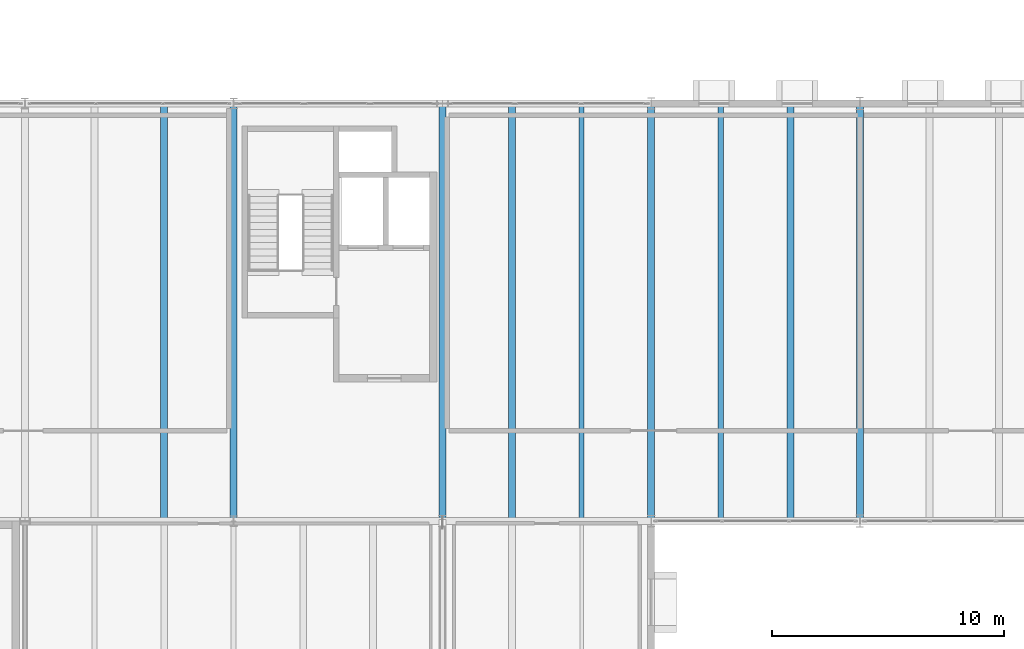
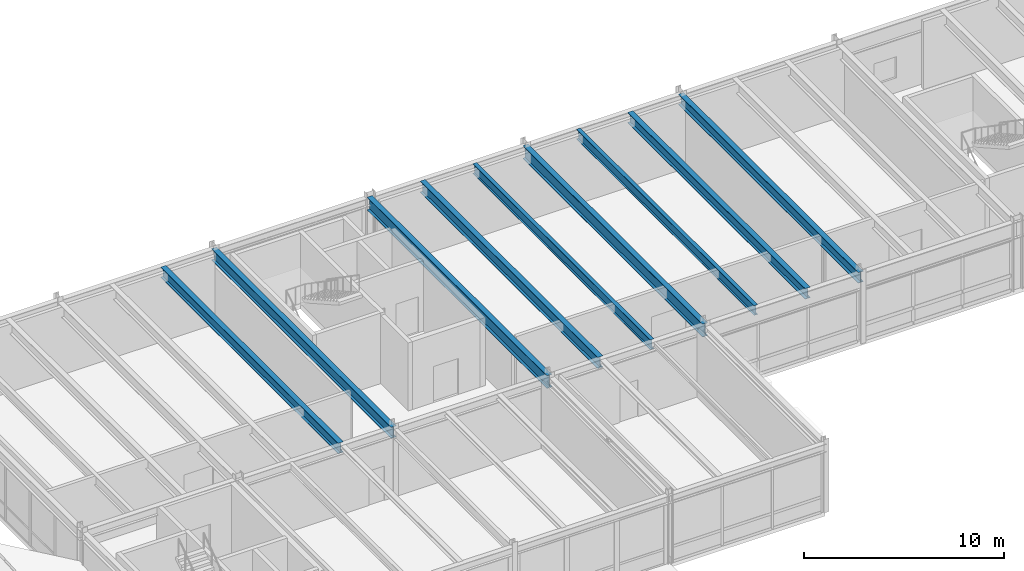
# One storey, part 84 of 142: 9 beams.
"""IFC4 building model written with IfcOpenShell, lengths in metres."""

import ifcopenshell
import ifcopenshell.guid

model = None  # the IFC model being written
_history = None  # IfcOwnerHistory: only IFC2X3 demands one
_inside = {}  # id of a spatial element -> (the spatial element, [elements in it])
_under = {}  # id of a project, library or spatial element -> (it, [spatial elements below it])
_declared = {}  # id of a project -> (the project, [libraries it declares])
_typed = {}  # id of a type object -> (the type object, [elements of that type])
_made_of = {}  # id of a material, layer set ... -> (it, [elements and type objects made of it])


def new_model(schema):
    """Start an empty IFC model of exactly this schema.

    Asked for "IFC4X3", IfcOpenShell would pick the latest addendum, in which some entities
    have other attributes; the version numbers below select the first issue.
    IFC2X3 requires an IfcOwnerHistory on every rooted entity: one is made here for all.
    """
    global model, _history
    if schema == "IFC4X3":
        model = ifcopenshell.file(schema_version=(4, 3, 0, 0))
    else:
        model = ifcopenshell.file(schema=schema)
    _inside.clear()
    _under.clear()
    _declared.clear()
    _typed.clear()
    _made_of.clear()
    _history = None
    if model.schema == "IFC2X3":
        org = make("IfcOrganization", Name="unknown")
        user = make(
            "IfcPersonAndOrganization",
            ThePerson=make("IfcPerson", FamilyName="unknown"),
            TheOrganization=org,
        )
        app = make(
            "IfcApplication",
            ApplicationDeveloper=org,
            Version="unknown",
            ApplicationFullName="unknown",
            ApplicationIdentifier="unknown",
        )
        _history = make(
            "IfcOwnerHistory",
            OwningUser=user,
            OwningApplication=app,
            ChangeAction="ADDED",
            CreationDate=0,
        )
    return model


def make(cls, **values):
    """One entity of the class cls with the attributes given. An attribute that is None is left unset."""
    return model.create_entity(
        cls, **{name: value for name, value in values.items() if value is not None}
    )


def rooted(cls, **values):
    """An entity with a GlobalId (a new one), such as an element, a storey or a relation."""
    return make(cls, GlobalId=ifcopenshell.guid.new(), OwnerHistory=_history, **values)


def si_unit(unit_type, name, prefix=None):
    """IfcSIUnit, for example si_unit("LENGTHUNIT", "METRE", prefix="MILLI")."""
    return make("IfcSIUnit", UnitType=unit_type, Prefix=prefix, Name=name)


def assignment(units):
    """IfcUnitAssignment: the units of a project."""
    return None if units is None else make("IfcUnitAssignment", Units=units)


def point(xyz):
    """IfcCartesianPoint."""
    return None if xyz is None else make("IfcCartesianPoint", Coordinates=xyz)


def direction(xyz):
    """IfcDirection."""
    return None if xyz is None else make("IfcDirection", DirectionRatios=xyz)


def frame(location, z_axis=None, x_axis=None):
    """IfcAxis2Placement3D, a coordinate frame: its origin and axes. An axis left out is left unset."""
    return make(
        "IfcAxis2Placement3D",
        Location=point(location),
        Axis=direction(z_axis),
        RefDirection=direction(x_axis),
    )


def frame_2d(location, x_axis=None):
    """IfcAxis2Placement2D, a coordinate frame in the plane: its origin and x axis."""
    return make(
        "IfcAxis2Placement2D", Location=point(location), RefDirection=direction(x_axis)
    )


def origin():
    """The frame at (0, 0, 0) with its axes left unset."""
    return frame((0.0, 0.0, 0.0))


def origin_2d():
    """The frame at (0, 0) in the plane with its x axis left unset."""
    return frame_2d((0.0, 0.0))


def place(relative_to, where):
    """IfcLocalPlacement: puts the frame where relative to a parent placement (None: the world)."""
    return make(
        "IfcLocalPlacement", PlacementRelTo=relative_to, RelativePlacement=where
    )


def context(
    kind, dimensions, precision=None, world=None, true_north=None, identifier=None
):
    """IfcGeometricRepresentationContext, for example the 3D "Model" context."""
    return make(
        "IfcGeometricRepresentationContext",
        ContextIdentifier=identifier,
        ContextType=kind,
        CoordinateSpaceDimension=dimensions,
        Precision=precision,
        WorldCoordinateSystem=world,
        TrueNorth=true_north,
    )


def subcontext(parent, identifier, kind, view, scale=None):
    """IfcGeometricRepresentationSubContext, for example "Body" below "Model"."""
    return make(
        "IfcGeometricRepresentationSubContext",
        ContextIdentifier=identifier,
        ContextType=kind,
        ParentContext=parent,
        TargetScale=scale,
        TargetView=view,
    )


def project(units=None, contexts=None):
    """IfcProject with its units and contexts."""
    return rooted(
        "IfcProject",
        Name="project",
        RepresentationContexts=contexts,
        UnitsInContext=assignment(units),
    )


def spatial(cls, under=None, at=None, **own):
    """A site, building, storey or space (cls), placed at a placement, below another one or the project."""
    s = rooted(cls, ObjectPlacement=at, **own)
    if under is not None:
        _under.setdefault(under.id(), (under, []))[1].append(s)
    return s


def profile(cls, at=None, kind="AREA", **sizes):
    """A parametric profile (cls). Its sizes go by their IFC names, for example OverallWidth=200.0."""
    return make(cls, ProfileType=kind, Position=at, **sizes)


def i_section(**sizes):
    """IfcIShapeProfileDef."""
    return profile("IfcIShapeProfileDef", **sizes)


def extrude(swept, where, along, depth):
    """IfcExtrudedAreaSolid: the profile swept, set in the frame where, extruded along a direction by depth."""
    return make(
        "IfcExtrudedAreaSolid",
        SweptArea=swept,
        Position=where,
        ExtrudedDirection=direction(along),
        Depth=depth,
    )


def shape(context_of_items, identifier, shape_type, items):
    """IfcShapeRepresentation: the items that make up one representation, for example the "Body"."""
    return make(
        "IfcShapeRepresentation",
        ContextOfItems=context_of_items,
        RepresentationIdentifier=identifier,
        RepresentationType=shape_type,
        Items=items,
    )


def material(Name=None, Category=None):
    """IfcMaterial."""
    return make("IfcMaterial", Name=Name, Category=Category)


def material_profile(
    of_material, cross_section, Name=None, Category=None, Priority=None
):
    """IfcMaterialProfile: a cross section and its material."""
    return make(
        "IfcMaterialProfile",
        Name=Name,
        Material=of_material,
        Profile=cross_section,
        Priority=Priority,
        Category=Category,
    )


def profile_set(profiles, Name=None, composite=None):
    """IfcMaterialProfileSet."""
    return make(
        "IfcMaterialProfileSet",
        Name=Name,
        MaterialProfiles=profiles,
        CompositeProfile=composite,
    )


def made_of(thing, what):
    """Note that an element or type object is made of a material, layer set ...; save() writes the relation."""
    if what is not None:
        _made_of.setdefault(what.id(), (what, []))[1].append(thing)
    return thing


def type_object(cls, material=None, **own):
    """A type object (cls), such as IfcWallType, which elements share."""
    return made_of(rooted(cls, **own), material)


def element(
    cls,
    number,
    at=None,
    inside=None,
    cuts=None,
    type_object=None,
    material=None,
    context=None,
    identifier="Body",
    shape_type=None,
    held_by="IfcProductDefinitionShape",
    body=None,
    shapes=None,
    **own,
):
    """One element of the class cls, such as IfcWall. Its Tag is "e" and its number.

    at: its placement. inside: the storey or other place that contains it. cuts: it is an
    opening in that element (IfcRelVoidsElement). A single representation is given by context,
    identifier, shape_type and body (its items); several are given by shapes. held_by: the class
    of the entity that holds the representations. save() writes the other relations.
    """
    e = rooted(cls, Tag="e%d" % number, ObjectPlacement=at, **own)
    if body is not None:
        shapes = [shape(context, identifier, shape_type, body)]
    if shapes is not None:
        e.Representation = make(held_by, Representations=shapes)
    if inside is not None:
        _inside.setdefault(inside.id(), (inside, []))[1].append(e)
    if cuts is not None:
        rooted(
            "IfcRelVoidsElement", RelatingBuildingElement=cuts, RelatedOpeningElement=e
        )
    if type_object is not None:
        _typed.setdefault(type_object.id(), (type_object, []))[1].append(e)
    return made_of(e, material)


def aggregate(whole, parts):
    """IfcRelAggregates: a whole, such as a stair, and the parts it consists of."""
    return rooted("IfcRelAggregates", RelatingObject=whole, RelatedObjects=parts)


def save(model, path):
    """Write the relations noted so far, then the file.

    IfcRelAggregates (storeys below a building ...), IfcRelContainedInSpatialStructure (elements
    in a storey), IfcRelDefinesByType, IfcRelAssociatesMaterial and IfcRelDeclares: one each for
    every whole, place, type object, material and project.
    """
    for whole, parts in _under.values():
        aggregate(whole, parts)
    for where, things in _inside.values():
        rooted(
            "IfcRelContainedInSpatialStructure",
            RelatedElements=things,
            RelatingStructure=where,
        )
    for kind, things in _typed.values():
        rooted("IfcRelDefinesByType", RelatedObjects=things, RelatingType=kind)
    for what, things in _made_of.values():
        rooted("IfcRelAssociatesMaterial", RelatedObjects=things, RelatingMaterial=what)
    for by, libraries in _declared.values():
        rooted("IfcRelDeclares", RelatingContext=by, RelatedDefinitions=libraries)
    model.write(path)


model = new_model("IFC4")

# Units and contexts
model_context = context("Model", 3, precision=1e-05, world=origin(), true_north=direction((0.0, 1.0)))
body_context = subcontext(model_context, "Body", "Model", "MODEL_VIEW")
ifc_project = project(units=[si_unit("LENGTHUNIT", "METRE"), si_unit("AREAUNIT", "SQUARE_METRE"), si_unit("VOLUMEUNIT", "CUBIC_METRE"), si_unit("PLANEANGLEUNIT", "RADIAN"), si_unit("MASSUNIT", "GRAM", prefix="KILO")], contexts=[model_context])

# Site, building, storey
site_placement = place(None, origin())
site = spatial("IfcSite", under=ifc_project, at=site_placement, CompositionType="ELEMENT")
building_placement = place(site_placement, origin())
building = spatial("IfcBuilding", under=site, at=building_placement, Name="Montelvaro Courts of Justice", CompositionType="ELEMENT")
storey_placement = place(building_placement, frame((0.0, 0.0, 14.39990234375)))
storey = spatial("IfcBuildingStorey", under=building, at=storey_placement, Name="L03", CompositionType="ELEMENT", Elevation=14.39990234375)

# Beams
ifc_material = material(Name="Steel S355", Category="steel")
ifc_material_profile_1 = material_profile(ifc_material, i_section(OverallWidth=0.300048828125, OverallDepth=0.639892578125, WebThickness=0.013427734375, FlangeThickness=0.02587890625, at=origin_2d()), Name="HEA 650")
ifc_profile_set_1 = profile_set([ifc_material_profile_1], Name="Steel S355")
beam_type_1 = type_object("IfcBeamType", Name="Beam_HEA650", PredefinedType="USERDEFINED", material=ifc_profile_set_1)
beam_1_placement = place(storey_placement, frame((114.0, 78.110107421875, 3.880126953125), z_axis=(0.0, 1.0, 0.0), x_axis=(-1.0, 0.0, 0.0)))
element("IfcBeam", 1, at=beam_1_placement, inside=storey, type_object=beam_type_1, Name="Beam B-22 L03", ObjectType="GIRDER", PredefinedType="USERDEFINED", context=body_context, shape_type="SweptSolid", body=[
    extrude(i_section(OverallWidth=0.300048828125, OverallDepth=0.639892578125, WebThickness=0.013427734375, FlangeThickness=0.02587890625, at=origin_2d()), origin(), (0.0, 0.0, 1.0), 17.77978515625),
])
ifc_material_profile_2 = material_profile(ifc_material, i_section(OverallWidth=0.300048828125, OverallDepth=0.68994140625, WebThickness=0.014404296875, FlangeThickness=0.027099609375, at=origin_2d()), Name="HEA 700")
ifc_profile_set_2 = profile_set([ifc_material_profile_2], Name="Steel S355")
beam_type_2 = type_object("IfcBeamType", Name="Beam_HEA700", PredefinedType="USERDEFINED", material=ifc_profile_set_2)
beam_2_placement = place(storey_placement, frame((117.0, 78.0, 3.85498046875), z_axis=(0.0, 1.0, 0.0), x_axis=(-1.0, 0.0, 0.0)))
element("IfcBeam", 2, at=beam_2_placement, inside=storey, type_object=beam_type_2, Name="Beam B-23 L03", ObjectType="GIRDER", PredefinedType="USERDEFINED", context=body_context, shape_type="SweptSolid", body=[
    extrude(i_section(OverallWidth=0.300048828125, OverallDepth=0.68994140625, WebThickness=0.014404296875, FlangeThickness=0.027099609375, at=origin_2d()), origin(), (0.0, 0.0, 1.0), 18.0),
])
beam_3_placement = place(storey_placement, frame((129.0, 78.110107421875, 3.85498046875), z_axis=(0.0, 1.0, 0.0), x_axis=(-1.0, 0.0, 0.0)))
element("IfcBeam", 3, at=beam_3_placement, inside=storey, type_object=beam_type_2, Name="Beam B-23 L03", ObjectType="GIRDER", PredefinedType="USERDEFINED", context=body_context, shape_type="SweptSolid", body=[
    extrude(i_section(OverallWidth=0.300048828125, OverallDepth=0.68994140625, WebThickness=0.014404296875, FlangeThickness=0.027099609375, at=origin_2d()), origin(), (0.0, 0.0, 1.0), 17.77978515625),
])
ifc_material_profile_3 = material_profile(ifc_material, i_section(OverallWidth=0.300048828125, OverallDepth=0.7900390625, WebThickness=0.014892578125, FlangeThickness=0.028076171875, at=origin_2d()), Name="HEA 800")
ifc_profile_set_3 = profile_set([ifc_material_profile_3], Name="Steel S355")
beam_type_3 = type_object("IfcBeamType", Name="Beam_HEA800", PredefinedType="USERDEFINED", material=ifc_profile_set_3)
beam_4_placement = place(storey_placement, frame((126.0, 78.0, 3.80517578125), z_axis=(0.0, 1.0, 0.0), x_axis=(-1.0, 0.0, 0.0)))
element("IfcBeam", 4, at=beam_4_placement, inside=storey, type_object=beam_type_3, Name="Beam B-24 L03", ObjectType="GIRDER", PredefinedType="USERDEFINED", context=body_context, shape_type="SweptSolid", body=[
    extrude(i_section(OverallWidth=0.300048828125, OverallDepth=0.7900390625, WebThickness=0.014892578125, FlangeThickness=0.028076171875, at=origin_2d()), origin(), (0.0, 0.0, 1.0), 18.0),
])
ifc_material_profile_4 = material_profile(ifc_material, i_section(OverallWidth=0.300048828125, OverallDepth=0.64990234375, WebThickness=0.01611328125, FlangeThickness=0.031005859375, at=origin_2d()), Name="HEB 650")
ifc_profile_set_4 = profile_set([ifc_material_profile_4], Name="Steel S355")
beam_type_4 = type_object("IfcBeamType", Name="Beam_HEB650", PredefinedType="USERDEFINED", material=ifc_profile_set_4)
beam_5_placement = place(storey_placement, frame((144.0, 78.0, 3.875), z_axis=(0.0, 1.0, 0.0), x_axis=(-1.0, 0.0, 0.0)))
element("IfcBeam", 5, at=beam_5_placement, inside=storey, type_object=beam_type_4, Name="Beam B-27 L03", ObjectType="GIRDER", PredefinedType="USERDEFINED", context=body_context, shape_type="SweptSolid", body=[
    extrude(i_section(OverallWidth=0.300048828125, OverallDepth=0.64990234375, WebThickness=0.01611328125, FlangeThickness=0.031005859375, at=origin_2d()), origin(), (0.0, 0.0, 1.0), 18.0),
])
beam_6_placement = place(storey_placement, frame((141.0, 78.110107421875, 3.875), z_axis=(0.0, 1.0, 0.0), x_axis=(-1.0, 0.0, 0.0)))
element("IfcBeam", 6, at=beam_6_placement, inside=storey, type_object=beam_type_4, Name="Beam B-27 L03", ObjectType="GIRDER", PredefinedType="USERDEFINED", context=body_context, shape_type="SweptSolid", body=[
    extrude(i_section(OverallWidth=0.300048828125, OverallDepth=0.64990234375, WebThickness=0.01611328125, FlangeThickness=0.031005859375, at=origin_2d()), origin(), (0.0, 0.0, 1.0), 17.77978515625),
])
ifc_material_profile_5 = material_profile(ifc_material, i_section(OverallWidth=0.300048828125, OverallDepth=0.800048828125, WebThickness=0.017578125, FlangeThickness=0.032958984375, at=origin_2d()), Name="HEB 800")
ifc_profile_set_5 = profile_set([ifc_material_profile_5], Name="Steel S355")
beam_type_5 = type_object("IfcBeamType", Name="Beam_HEB800", PredefinedType="USERDEFINED", material=ifc_profile_set_5)
beam_7_placement = place(storey_placement, frame((135.0, 78.0, 3.800048828125), z_axis=(0.0, 1.0, 0.0), x_axis=(-1.0, 0.0, 0.0)))
element("IfcBeam", 7, at=beam_7_placement, inside=storey, type_object=beam_type_5, Name="Beam B-29 L03", ObjectType="GIRDER", PredefinedType="USERDEFINED", context=body_context, shape_type="SweptSolid", body=[
    extrude(i_section(OverallWidth=0.300048828125, OverallDepth=0.800048828125, WebThickness=0.017578125, FlangeThickness=0.032958984375, at=origin_2d()), origin(), (0.0, 0.0, 1.0), 18.0),
])
ifc_material_profile_6 = material_profile(ifc_material, i_section(OverallWidth=0.219970703125, OverallDepth=0.60009765625, WebThickness=0.011962890625, FlangeThickness=0.01904296875, at=origin_2d()), Name="IPE 600")
ifc_profile_set_6 = profile_set([ifc_material_profile_6], Name="Steel S355")
beam_type_6 = type_object("IfcBeamType", Name="Beam_IPE600", PredefinedType="USERDEFINED", material=ifc_profile_set_6)
for number, where, z_axis, x_axis, name in (
    (8, (132.0, 78.110107421875, 3.900146484375), (0.0, 1.0, 0.0), (-1.0, 0.0, 0.0), "Beam B-12 L03"),
    (9, (138.0, 78.110107421875, 3.900146484375), (0.0, 1.0, 0.0), (-1.0, 0.0, 0.0), "Beam B-12 L03"),
):
    element("IfcBeam", number, at=place(storey_placement, frame(where, z_axis=z_axis, x_axis=x_axis)), inside=storey, type_object=beam_type_6, Name=name, ObjectType="GIRDER", PredefinedType="USERDEFINED", context=body_context, shape_type="SweptSolid", body=[
        extrude(i_section(OverallWidth=0.219970703125, OverallDepth=0.60009765625, WebThickness=0.011962890625, FlangeThickness=0.01904296875, at=origin_2d()), origin(), (0.0, 0.0, 1.0), 17.77978515625),
    ])

save(model, "model.ifc")
